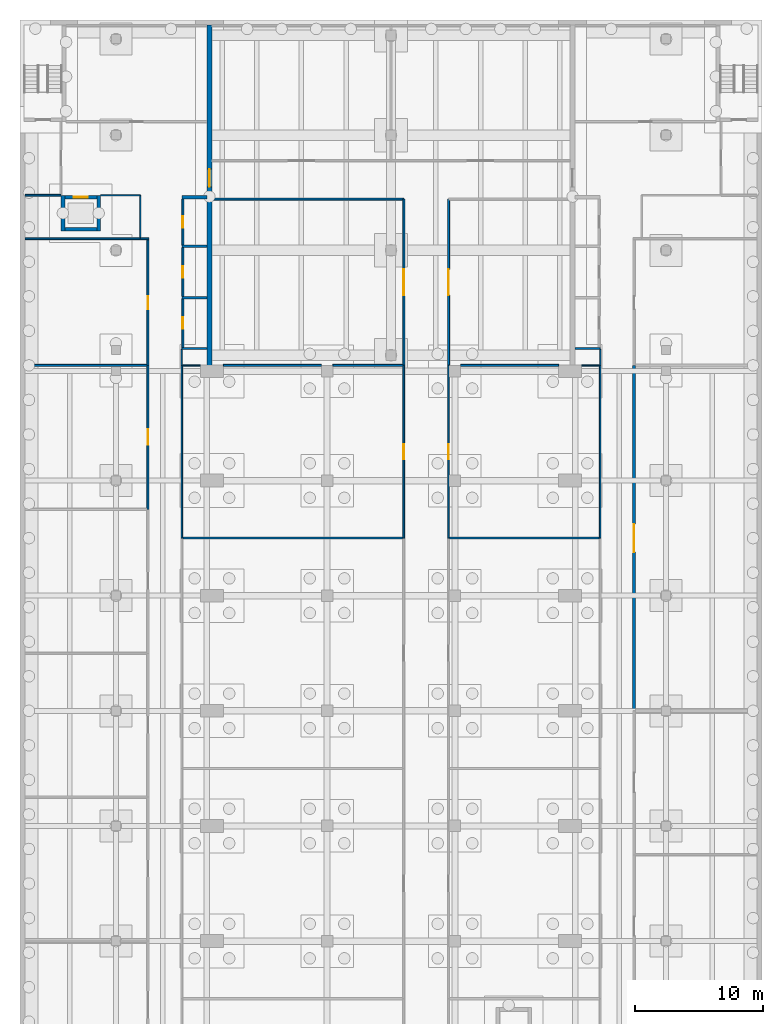
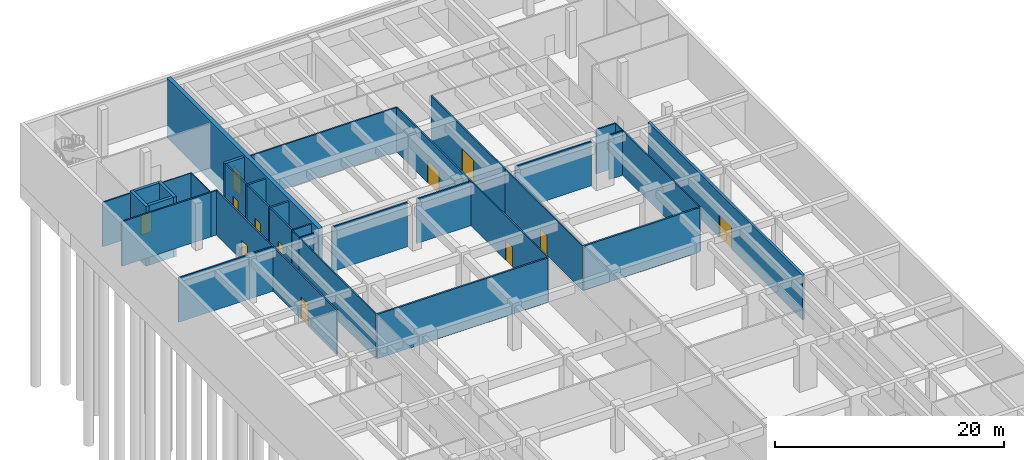
# One storey, part 14 of 19: 38 walls, 12 doors, 12 openings.
"""IFC4 building model written with IfcOpenShell, lengths in metres."""

from ifc_helpers import new_model, si_unit, direction, frame, frame_2d, origin, place, context, subcontext, project, spatial, rectangle, extrude, material, layer, layer_set, type_object, element, fill, save


model = new_model("IFC4")

# Units and contexts
model_context = context("Model", 3, precision=1e-05, world=origin(), true_north=direction((0.0, 1.0)))
body_context = subcontext(model_context, "Body", "Model", "MODEL_VIEW")
ifc_project = project(units=[si_unit("LENGTHUNIT", "METRE"), si_unit("AREAUNIT", "SQUARE_METRE"), si_unit("VOLUMEUNIT", "CUBIC_METRE"), si_unit("PLANEANGLEUNIT", "RADIAN"), si_unit("MASSUNIT", "GRAM", prefix="KILO")], contexts=[model_context])

# Site, building, storey
site_placement = place(None, origin())
site = spatial("IfcSite", under=ifc_project, at=site_placement, CompositionType="ELEMENT")
building_placement = place(site_placement, origin())
building = spatial("IfcBuilding", under=site, at=building_placement, Name="Elmora Arch Market Hall", CompositionType="ELEMENT")
storey_placement = place(building_placement, frame((0.0, 0.0, -10.0)))
storey = spatial("IfcBuildingStorey", under=building, at=storey_placement, Name="B1", CompositionType="ELEMENT", Elevation=-10.0)

# Wall
ifc_material_1 = material(Name="Blockwork", Category="masonry")
ifc_layer_1 = layer(ifc_material_1, 0.14990234375)
ifc_layer_set_1 = layer_set([ifc_layer_1], Name="Blockwork")
wall_type_1 = type_object("IfcWallType", Name="Blockwork partition 150 EI 120", PredefinedType="PARTITIONING", material=ifc_layer_set_1)
wall_1_placement = place(storey_placement, frame((12.64990234375, 100.324951171875, 0.0), z_axis=(0.0, 0.0, 1.0), x_axis=(1.0, 0.0, 0.0)))
element("IfcWall", 1, at=wall_1_placement, inside=storey, type_object=wall_type_1, Name="Riser wall B1 07", PredefinedType="PARTITIONING", context=body_context, shape_type="SweptSolid", body=[
    extrude(rectangle(XDim=1.9501953125, YDim=0.14990234375, at=frame_2d((0.97509765625, 0.0))), origin(), (0.0, 0.0, 1.0), 4.75),
])

# Wall, opening, door
wall_2_placement = place(storey_placement, frame((12.72509765625, 100.39990234375, 0.0), z_axis=(0.0, 0.0, 1.0), x_axis=(0.0, 1.0, 0.0)))
wall_2 = element("IfcWall", 2, at=wall_2_placement, inside=storey, type_object=wall_type_1, Name="Riser wall B1 08", PredefinedType="PARTITIONING", context=body_context, shape_type="SweptSolid", body=[
    extrude(rectangle(XDim=3.800048828125, YDim=0.14990234375, at=frame_2d((1.89990234375, 0.0))), origin(), (0.0, 0.0, 1.0), 4.75),
])
opening_1_placement = place(wall_2_placement, frame((1.449951171875, 0.0, 0.0)))
opening_1 = element("IfcOpeningElement", 3, at=opening_1_placement, cuts=wall_2, Name="Opening D-B1-030", PredefinedType="OPENING", context=body_context, shape_type="SweptSolid", body=[
    extrude(rectangle(XDim=0.89990234375, YDim=2.10009765625, at=frame_2d((0.449951171875, 1.050048828125))), frame((0.0, 0.0849609375, 0.0), z_axis=(0.0, -1.0, 0.0), x_axis=(1.0, 0.0, 0.0)), (0.0, 0.0, 1.0), 0.169921875),
])
ifc_material_2 = material(Name="Steel ASTM A653 galvanised", Category="steel")
door_type_1 = type_object("IfcDoorType", Name="Door 900 x 2100 FD90", OperationType="SINGLE_SWING_LEFT", PredefinedType="DOOR", material=ifc_material_2)
door_1_placement = place(opening_1_placement, frame((0.89990234375, 0.0, 0.0), z_axis=(0.0, 0.0, 1.0), x_axis=(-1.0, 0.0, 0.0)))
door_1 = element("IfcDoor", 4, at=door_1_placement, inside=storey, type_object=door_type_1, Name="Riser access door D-B1-030", OperationType="SINGLE_SWING_RIGHT", OverallHeight=2.10009765625, OverallWidth=0.89990234375, PredefinedType="DOOR", context=body_context, shape_type="SweptSolid", body=[
    extrude(rectangle(XDim=0.89990234375, YDim=2.10009765625, at=frame_2d((0.449951171875, 1.050048828125))), frame((0.0, 0.02490234375, 0.0), z_axis=(0.0, -1.0, 0.0), x_axis=(1.0, 0.0, 0.0)), (0.0, 0.0, 1.0), 0.050048828125),
])
fill(opening_1, door_1)

wall_3_placement = place(storey_placement, frame((12.72509765625, 104.39990234375, 0.0), z_axis=(0.0, 0.0, 1.0), x_axis=(0.0, 1.0, 0.0)))
wall_3 = element("IfcWall", 5, at=wall_3_placement, inside=storey, type_object=wall_type_1, Name="Riser wall B1 10", PredefinedType="PARTITIONING", context=body_context, shape_type="SweptSolid", body=[
    extrude(rectangle(XDim=3.800048828125, YDim=0.14990234375, at=frame_2d((1.89990234375, 0.0))), origin(), (0.0, 0.0, 1.0), 4.75),
])
opening_2_placement = place(wall_3_placement, frame((1.449951171875, 0.0, 0.0)))
opening_2 = element("IfcOpeningElement", 6, at=opening_2_placement, cuts=wall_3, Name="Opening D-B1-036", PredefinedType="OPENING", context=body_context, shape_type="SweptSolid", body=[
    extrude(rectangle(XDim=0.89990234375, YDim=2.10009765625, at=frame_2d((0.449951171875, 1.050048828125))), frame((0.0, 0.0849609375, 0.0), z_axis=(0.0, -1.0, 0.0), x_axis=(1.0, 0.0, 0.0)), (0.0, 0.0, 1.0), 0.169921875),
])
door_2_placement = place(opening_2_placement, frame((0.89990234375, 0.0, 0.0), z_axis=(0.0, 0.0, 1.0), x_axis=(-1.0, 0.0, 0.0)))
door_2 = element("IfcDoor", 7, at=door_2_placement, inside=storey, type_object=door_type_1, Name="Riser access door D-B1-036", OperationType="SINGLE_SWING_RIGHT", OverallHeight=2.10009765625, OverallWidth=0.89990234375, PredefinedType="DOOR", context=body_context, shape_type="SweptSolid", body=[
    extrude(rectangle(XDim=0.89990234375, YDim=2.10009765625, at=frame_2d((0.449951171875, 1.050048828125))), frame((0.0, 0.02490234375, 0.0), z_axis=(0.0, -1.0, 0.0), x_axis=(1.0, 0.0, 0.0)), (0.0, 0.0, 1.0), 0.050048828125),
])
fill(opening_2, door_2)

wall_4_placement = place(storey_placement, frame((12.72509765625, 108.39990234375, 0.0), z_axis=(0.0, 0.0, 1.0), x_axis=(0.0, 1.0, 0.0)))
wall_4 = element("IfcWall", 8, at=wall_4_placement, inside=storey, type_object=wall_type_1, Name="Riser wall B1 12", PredefinedType="PARTITIONING", context=body_context, shape_type="SweptSolid", body=[
    extrude(rectangle(XDim=3.60009765625, YDim=0.14990234375, at=frame_2d((1.800048828125, 0.0))), origin(), (0.0, 0.0, 1.0), 4.75),
])
opening_3_placement = place(wall_4_placement, frame((1.35009765625, 0.0, 0.0)))
opening_3 = element("IfcOpeningElement", 9, at=opening_3_placement, cuts=wall_4, Name="Opening D-B1-038", PredefinedType="OPENING", context=body_context, shape_type="SweptSolid", body=[
    extrude(rectangle(XDim=0.89990234375, YDim=2.10009765625, at=frame_2d((0.449951171875, 1.050048828125))), frame((0.0, 0.0849609375, 0.0), z_axis=(0.0, -1.0, 0.0), x_axis=(1.0, 0.0, 0.0)), (0.0, 0.0, 1.0), 0.169921875),
])
door_3_placement = place(opening_3_placement, frame((0.89990234375, 0.0, 0.0), z_axis=(0.0, 0.0, 1.0), x_axis=(-1.0, 0.0, 0.0)))
door_3 = element("IfcDoor", 10, at=door_3_placement, inside=storey, type_object=door_type_1, Name="Riser access door D-B1-038", OperationType="SINGLE_SWING_RIGHT", OverallHeight=2.10009765625, OverallWidth=0.89990234375, PredefinedType="DOOR", context=body_context, shape_type="SweptSolid", body=[
    extrude(rectangle(XDim=0.89990234375, YDim=2.10009765625, at=frame_2d((0.449951171875, 1.050048828125))), frame((0.0, 0.02490234375, 0.0), z_axis=(0.0, -1.0, 0.0), x_axis=(1.0, 0.0, 0.0)), (0.0, 0.0, 1.0), 0.050048828125),
])
fill(opening_3, door_3)

# Walls
wall_5_placement = place(storey_placement, frame((43.39990234375, 100.324951171875, 0.0), z_axis=(0.0, 0.0, 1.0), x_axis=(1.0, 0.0, 0.0)))
element("IfcWall", 11, at=wall_5_placement, inside=storey, type_object=wall_type_1, Name="Riser wall B1 14", PredefinedType="PARTITIONING", context=body_context, shape_type="SweptSolid", body=[
    extrude(rectangle(XDim=1.9501953125, YDim=0.14990234375, at=frame_2d((0.97509765625, 0.0))), origin(), (0.0, 0.0, 1.0), 4.75),
])
wall_6_placement = place(storey_placement, frame((0.39990234375, 99.0, 0.0), z_axis=(0.0, 0.0, 1.0), x_axis=(1.0, 0.0, 0.0)))
element("IfcWall", 12, at=wall_6_placement, inside=storey, type_object=wall_type_1, Name="Partition PT-B1-038", PredefinedType="PARTITIONING", context=body_context, shape_type="SweptSolid", body=[
    extrude(rectangle(XDim=9.525146484375, YDim=0.14990234375, at=frame_2d((4.7626953125, 0.0))), origin(), (0.0, 0.0, 1.0), 4.75),
])
wall_7_placement = place(storey_placement, frame((15.89990234375, 99.0, 0.0), z_axis=(0.0, 0.0, 1.0), x_axis=(1.0, 0.0, 0.0)))
element("IfcWall", 13, at=wall_7_placement, inside=storey, type_object=wall_type_1, Name="Partition PT-B1-040-42", PredefinedType="PARTITIONING", context=body_context, shape_type="SweptSolid", body=[
    extrude(rectangle(XDim=7.650146484375, YDim=0.14990234375, at=frame_2d((3.8251953125, 0.0))), origin(), (0.0, 0.0, 1.0), 4.75),
])
wall_8_placement = place(storey_placement, frame((24.449951171875, 99.0, 0.0), z_axis=(0.0, 0.0, 1.0), x_axis=(1.0, 0.0, 0.0)))
element("IfcWall", 14, at=wall_8_placement, inside=storey, type_object=wall_type_1, Name="Partition PT-B1-040-43", PredefinedType="PARTITIONING", context=body_context, shape_type="SweptSolid", body=[
    extrude(rectangle(XDim=5.47509765625, YDim=0.14990234375, at=frame_2d((2.737548828125, 0.0))), origin(), (0.0, 0.0, 1.0), 4.75),
])
wall_9_placement = place(storey_placement, frame((34.449951171875, 99.0, 0.0), z_axis=(0.0, 0.0, 1.0), x_axis=(1.0, 0.0, 0.0)))
element("IfcWall", 15, at=wall_9_placement, inside=storey, type_object=wall_type_1, Name="Partition PT-B1-041", PredefinedType="PARTITIONING", context=body_context, shape_type="SweptSolid", body=[
    extrude(rectangle(XDim=7.650146484375, YDim=0.14990234375, at=frame_2d((3.8251953125, 0.0))), origin(), (0.0, 0.0, 1.0), 4.75),
])
wall_10_placement = place(storey_placement, frame((0.39990234375, 108.89990234375, 0.0), z_axis=(0.0, 0.0, 1.0), x_axis=(1.0, 0.0, 0.0)))
element("IfcWall", 16, at=wall_10_placement, inside=storey, type_object=wall_type_1, Name="Partition PT-B1-044", PredefinedType="PARTITIONING", context=body_context, shape_type="SweptSolid", body=[
    extrude(rectangle(XDim=9.0, YDim=0.14990234375, at=frame_2d((4.5, 0.0))), origin(), (0.0, 0.0, 1.0), 4.75),
])
wall_11_placement = place(storey_placement, frame((9.39990234375, 108.89990234375, 0.0), z_axis=(0.0, 0.0, 1.0), x_axis=(1.0, 0.0, 0.0)))
element("IfcWall", 17, at=wall_11_placement, inside=storey, type_object=wall_type_1, Name="Partition PT-B1-045", PredefinedType="PARTITIONING", context=body_context, shape_type="SweptSolid", body=[
    extrude(rectangle(XDim=0.675048828125, YDim=0.14990234375, at=frame_2d((0.33740234375, 0.0))), origin(), (0.0, 0.0, 1.0), 4.75),
])
wall_12_placement = place(storey_placement, frame((15.0, 112.0, 0.0), z_axis=(0.0, 0.0, 1.0), x_axis=(1.0, 0.0, 0.0)))
element("IfcWall", 18, at=wall_12_placement, inside=storey, type_object=wall_type_1, Name="Partition PT-B1-048", PredefinedType="PARTITIONING", context=body_context, shape_type="SweptSolid", body=[
    extrude(rectangle(XDim=14.989990234375, YDim=0.14990234375, at=frame_2d((7.4951171875, 0.0))), origin(), (0.0, 0.0, 1.0), 4.75),
])

# Wall, opening, door
wall_13_placement = place(storey_placement, frame((10.0, 99.0, 0.0), z_axis=(0.0, 0.0, 1.0), x_axis=(0.0, 1.0, 0.0)))
wall_13 = element("IfcWall", 19, at=wall_13_placement, inside=storey, type_object=wall_type_1, Name="Partition PT-B1-075", PredefinedType="PARTITIONING", context=body_context, shape_type="SweptSolid", body=[
    extrude(rectangle(XDim=9.824951171875, YDim=0.14990234375, at=frame_2d((4.91259765625, 0.0))), origin(), (0.0, 0.0, 1.0), 4.75),
])
opening_4_placement = place(wall_13_placement, frame((4.39990234375, 0.0, 0.0)))
opening_4 = element("IfcOpeningElement", 20, at=opening_4_placement, cuts=wall_13, Name="Opening D-B1-032", PredefinedType="OPENING", context=body_context, shape_type="SweptSolid", body=[
    extrude(rectangle(XDim=1.0, YDim=2.10009765625, at=frame_2d((0.5, 1.050048828125))), frame((0.0, 0.0849609375, 0.0), z_axis=(0.0, -1.0, 0.0), x_axis=(1.0, 0.0, 0.0)), (0.0, 0.0, 1.0), 0.169921875),
])
ifc_material_3 = material(Name="Steel ASTM A653 galvanised", Category="steel")
door_type_2 = type_object("IfcDoorType", Name="Door 1000 x 2100 FD90", OperationType="SINGLE_SWING_LEFT", PredefinedType="DOOR", material=ifc_material_3)
door_4_placement = place(opening_4_placement, origin())
door_4 = element("IfcDoor", 21, at=door_4_placement, inside=storey, type_object=door_type_2, Name="D-B1-032", OperationType="SINGLE_SWING_LEFT", OverallHeight=2.10009765625, OverallWidth=1.0, PredefinedType="DOOR", context=body_context, shape_type="SweptSolid", body=[
    extrude(rectangle(XDim=1.0, YDim=2.10009765625, at=frame_2d((0.5, 1.050048828125))), frame((0.0, 0.02490234375, 0.0), z_axis=(0.0, -1.0, 0.0), x_axis=(1.0, 0.0, 0.0)), (0.0, 0.0, 1.0), 0.050048828125),
])
fill(opening_4, door_4)

wall_14_placement = place(storey_placement, frame((30.0, 99.0, 0.0), z_axis=(0.0, 0.0, 1.0), x_axis=(0.0, 1.0, 0.0)))
wall_14 = element("IfcWall", 22, at=wall_14_placement, inside=storey, type_object=wall_type_1, Name="Partition PT-B1-088", PredefinedType="PARTITIONING", context=body_context, shape_type="SweptSolid", body=[
    extrude(rectangle(XDim=12.989990234375, YDim=0.14990234375, at=frame_2d((6.4951171875, 0.0))), origin(), (0.0, 0.0, 1.0), 4.75),
])
opening_5_placement = place(wall_14_placement, frame((5.5, 0.0, 0.0)))
opening_5 = element("IfcOpeningElement", 23, at=opening_5_placement, cuts=wall_14, Name="Opening D-B1-034", PredefinedType="OPENING", context=body_context, shape_type="SweptSolid", body=[
    extrude(rectangle(XDim=2.0, YDim=2.39990234375, at=frame_2d((1.0, 1.199951171875))), frame((0.0, 0.0849609375, 0.0), z_axis=(0.0, -1.0, 0.0), x_axis=(1.0, 0.0, 0.0)), (0.0, 0.0, 1.0), 0.169921875),
])
ifc_material_4 = material(Name="Steel ASTM A653 galvanised", Category="steel")
door_type_3 = type_object("IfcDoorType", Name="Double door 2000 x 2400 FD90", OperationType="DOUBLE_DOOR_SINGLE_SWING", PredefinedType="DOOR", material=ifc_material_4)
door_5_placement = place(opening_5_placement, origin())
door_5 = element("IfcDoor", 24, at=door_5_placement, inside=storey, type_object=door_type_3, Name="D-B1-034", OperationType="DOUBLE_DOOR_SINGLE_SWING", OverallHeight=2.39990234375, OverallWidth=2.0, PredefinedType="DOOR", context=body_context, shape_type="SweptSolid", body=[
    extrude(rectangle(XDim=2.0, YDim=2.39990234375, at=frame_2d((1.0, 1.199951171875))), frame((0.0, 0.02490234375, 0.0), z_axis=(0.0, -1.0, 0.0), x_axis=(1.0, 0.0, 0.0)), (0.0, 0.0, 1.0), 0.050048828125),
])
fill(opening_5, door_5)

wall_15_placement = place(storey_placement, frame((33.5, 99.0, 0.0), z_axis=(0.0, 0.0, 1.0), x_axis=(0.0, 1.0, 0.0)))
wall_15 = element("IfcWall", 25, at=wall_15_placement, inside=storey, type_object=wall_type_1, Name="Partition PT-B1-093", PredefinedType="PARTITIONING", context=body_context, shape_type="SweptSolid", body=[
    extrude(rectangle(XDim=12.989990234375, YDim=0.14990234375, at=frame_2d((6.4951171875, 0.0))), origin(), (0.0, 0.0, 1.0), 4.75),
])
opening_6_placement = place(wall_15_placement, frame((5.5, 0.0, 0.0)))
opening_6 = element("IfcOpeningElement", 26, at=opening_6_placement, cuts=wall_15, Name="Opening D-B1-035", PredefinedType="OPENING", context=body_context, shape_type="SweptSolid", body=[
    extrude(rectangle(XDim=2.0, YDim=2.39990234375, at=frame_2d((1.0, 1.199951171875))), frame((0.0, 0.0849609375, 0.0), z_axis=(0.0, -1.0, 0.0), x_axis=(1.0, 0.0, 0.0)), (0.0, 0.0, 1.0), 0.169921875),
])
door_6_placement = place(opening_6_placement, frame((2.0, 0.0, 0.0), z_axis=(0.0, 0.0, 1.0), x_axis=(-1.0, 0.0, 0.0)))
door_6 = element("IfcDoor", 27, at=door_6_placement, inside=storey, type_object=door_type_3, Name="D-B1-035", OperationType="DOUBLE_DOOR_SINGLE_SWING", OverallHeight=2.39990234375, OverallWidth=2.0, PredefinedType="DOOR", context=body_context, shape_type="SweptSolid", body=[
    extrude(rectangle(XDim=2.0, YDim=2.39990234375, at=frame_2d((1.0, 1.199951171875))), frame((0.0, 0.02490234375, 0.0), z_axis=(0.0, -1.0, 0.0), x_axis=(1.0, 0.0, 0.0)), (0.0, 0.0, 1.0), 0.050048828125),
])
fill(opening_6, door_6)

# Walls
ifc_material_5 = material(Name="Blockwork", Category="masonry")
ifc_layer_2 = layer(ifc_material_5, 0.199951171875)
ifc_layer_set_2 = layer_set([ifc_layer_2], Name="Blockwork")
wall_type_2 = type_object("IfcWallType", Name="Blockwork partition 200 EI 120", PredefinedType="PARTITIONING", material=ifc_layer_set_2)
for number, where, z_axis, x_axis, name in (
    (28, (12.64990234375, 104.300048828125, 0.0), (0.0, 0.0, 1.0), (1.0, 0.0, 0.0), "Riser wall B1 09"),
    (29, (12.64990234375, 108.300048828125, 0.0), (0.0, 0.0, 1.0), (1.0, 0.0, 0.0), "Riser wall B1 11"),
):
    element("IfcWall", number, at=place(storey_placement, frame(where, z_axis=z_axis, x_axis=x_axis)), inside=storey, type_object=wall_type_2, Name=name, PredefinedType="PARTITIONING", context=body_context, shape_type="SweptSolid", body=[
        extrude(rectangle(XDim=1.9501953125, YDim=0.199951171875, at=frame_2d((0.97509765625, 0.0))), origin(), (0.0, 0.0, 1.0), 4.75),
    ])

# Wall, opening, door
ifc_material_6 = material(Name="Blockwork", Category="masonry")
ifc_layer_3 = layer(ifc_material_6, 0.25)
ifc_layer_set_3 = layer_set([ifc_layer_3], Name="Blockwork")
wall_type_3 = type_object("IfcWallType", Name="Blockwork partition 250 EI 120", PredefinedType="PARTITIONING", material=ifc_layer_set_3)
wall_16_placement = place(storey_placement, frame((48.0, 72.0, 0.0), z_axis=(0.0, 0.0, 1.0), x_axis=(0.0, 1.0, 0.0)))
wall_16 = element("IfcWall", 30, at=wall_16_placement, inside=storey, type_object=wall_type_3, Name="Partition PT-B1-105", PredefinedType="PARTITIONING", context=body_context, shape_type="SweptSolid", body=[
    extrude(rectangle(XDim=27.0, YDim=0.25, at=frame_2d((13.5, 0.0))), origin(), (0.0, 0.0, 1.0), 4.75),
])
opening_7_placement = place(wall_16_placement, frame((12.39990234375, 0.0, 0.0)))
opening_7 = element("IfcOpeningElement", 31, at=opening_7_placement, cuts=wall_16, Name="Opening D-B1-026", PredefinedType="OPENING", context=body_context, shape_type="SweptSolid", body=[
    extrude(rectangle(XDim=2.199951171875, YDim=2.39990234375, at=frame_2d((1.10009765625, 1.199951171875))), frame((0.0, 0.135009765625, 0.0), z_axis=(0.0, -1.0, 0.0), x_axis=(1.0, 0.0, 0.0)), (0.0, 0.0, 1.0), 0.27001953125),
])
ifc_material_7 = material(Name="Steel ASTM A653 galvanised", Category="steel")
door_type_4 = type_object("IfcDoorType", Name="Double door 2200 x 2400 FD90", OperationType="DOUBLE_DOOR_SINGLE_SWING", PredefinedType="DOOR", material=ifc_material_7)
door_7_placement = place(opening_7_placement, frame((2.199951171875, 0.0, 0.0), z_axis=(0.0, 0.0, 1.0), x_axis=(-1.0, 0.0, 0.0)))
door_7 = element("IfcDoor", 32, at=door_7_placement, inside=storey, type_object=door_type_4, Name="D-B1-026", OperationType="DOUBLE_DOOR_SINGLE_SWING", OverallHeight=2.39990234375, OverallWidth=2.199951171875, PredefinedType="DOOR", context=body_context, shape_type="SweptSolid", body=[
    extrude(rectangle(XDim=2.199951171875, YDim=2.39990234375, at=frame_2d((1.10009765625, 1.199951171875))), frame((0.0, 0.02490234375, 0.0), z_axis=(0.0, -1.0, 0.0), x_axis=(1.0, 0.0, 0.0)), (0.0, 0.0, 1.0), 0.050048828125),
])
fill(opening_7, door_7)

# Wall
ifc_material_8 = material(Name="Blockwork", Category="masonry")
ifc_layer_4 = layer(ifc_material_8, 0.300048828125)
ifc_layer_set_4 = layer_set([ifc_layer_4], Name="Blockwork")
wall_type_4 = type_object("IfcWallType", Name="Blockwork partition 300 EI 120", PredefinedType="PARTITIONING", material=ifc_layer_set_4)
wall_17_placement = place(storey_placement, frame((12.64990234375, 112.14990234375, 0.0), z_axis=(0.0, 0.0, 1.0), x_axis=(1.0, 0.0, 0.0)))
element("IfcWall", 33, at=wall_17_placement, inside=storey, type_object=wall_type_4, Name="Riser wall B1 13", PredefinedType="PARTITIONING", context=body_context, shape_type="SweptSolid", body=[
    extrude(rectangle(XDim=1.9501953125, YDim=0.300048828125, at=frame_2d((0.97509765625, 0.0))), origin(), (0.0, 0.0, 1.0), 4.75),
])

# Wall, opening, door
ifc_material_9 = material(Name="Insulated metal panel")
ifc_layer_5 = layer(ifc_material_9, 0.14990234375)
ifc_layer_set_5 = layer_set([ifc_layer_5], Name="Insulated metal panel")
wall_type_5 = type_object("IfcWallType", Name="Cold store panel 150 EI 60", PredefinedType="PARTITIONING", material=ifc_layer_set_5)
wall_18_placement = place(storey_placement, frame((10.0, 87.75, 0.0), z_axis=(0.0, 0.0, 1.0), x_axis=(0.0, 1.0, 0.0)))
wall_18 = element("IfcWall", 34, at=wall_18_placement, inside=storey, type_object=wall_type_5, Name="Partition PT-B1-074", PredefinedType="PARTITIONING", context=body_context, shape_type="SweptSolid", body=[
    extrude(rectangle(XDim=11.25, YDim=0.14990234375, at=frame_2d((5.625, 0.0))), origin(), (0.0, 0.0, 1.0), 4.75),
])
opening_8_placement = place(wall_18_placement, frame((5.050048828125, 0.0, 0.0)))
opening_8 = element("IfcOpeningElement", 35, at=opening_8_placement, cuts=wall_18, Name="Opening D-B1-029", PredefinedType="OPENING", context=body_context, shape_type="SweptSolid", body=[
    extrude(rectangle(XDim=1.199951171875, YDim=2.39990234375, at=frame_2d((0.60009765625, 1.199951171875))), frame((0.0, 0.0849609375, 0.0), z_axis=(0.0, -1.0, 0.0), x_axis=(1.0, 0.0, 0.0)), (0.0, 0.0, 1.0), 0.169921875),
])
ifc_material_10 = material(Name="Insulated door panel")
door_type_5 = type_object("IfcDoorType", Name="Cold store door 1200 x 2400 FD45", OperationType="SLIDING_TO_LEFT", PredefinedType="DOOR", material=ifc_material_10)
door_8_placement = place(opening_8_placement, origin())
door_8 = element("IfcDoor", 36, at=door_8_placement, inside=storey, type_object=door_type_5, Name="D-B1-029", OperationType="SLIDING_TO_LEFT", OverallHeight=2.39990234375, OverallWidth=1.199951171875, PredefinedType="DOOR", context=body_context, shape_type="SweptSolid", body=[
    extrude(rectangle(XDim=1.199951171875, YDim=2.39990234375, at=frame_2d((0.60009765625, 1.199951171875))), frame((0.0, 0.02490234375, 0.0), z_axis=(0.0, -1.0, 0.0), x_axis=(1.0, 0.0, 0.0)), (0.0, 0.0, 1.0), 0.050048828125),
])
fill(opening_8, door_8)

# Walls
ifc_material_11 = material(Name="Concrete C40/50", Category="concrete")
ifc_layer_6 = layer(ifc_material_11, 0.300048828125)
ifc_layer_set_6 = layer_set([ifc_layer_6], Name="Concrete C40/50")
wall_type_6 = type_object("IfcWallType", Name="Lift shaft wall 300", PredefinedType="SHEAR", material=ifc_layer_set_6)
for number, where, z_axis, x_axis, name in (
    (37, (3.35009765625, 109.5, -1.39990234375), (0.0, 0.0, 1.0), (0.0, 1.0, 0.0), "Lift shaft wall PL1 W B1"),
    (38, (6.14990234375, 109.5, -1.39990234375), (0.0, 0.0, 1.0), (0.0, 1.0, 0.0), "Lift shaft wall PL1 E B1"),
):
    element("IfcWall", number, at=place(storey_placement, frame(where, z_axis=z_axis, x_axis=x_axis)), inside=storey, type_object=wall_type_6, Name=name, PredefinedType="SHEAR", context=body_context, shape_type="SweptSolid", body=[
        extrude(rectangle(XDim=2.800048828125, YDim=0.300048828125, at=frame_2d((1.39990234375, 0.0))), origin(), (0.0, 0.0, 1.0), 6.39990234375),
    ])
wall_19_placement = place(storey_placement, frame((3.5, 109.64990234375, -1.39990234375), z_axis=(0.0, 0.0, 1.0), x_axis=(1.0, 0.0, 0.0)))
element("IfcWall", 39, at=wall_19_placement, inside=storey, type_object=wall_type_6, Name="Lift shaft wall PL1 S B1", PredefinedType="SHEAR", context=body_context, shape_type="SweptSolid", body=[
    extrude(rectangle(XDim=2.5, YDim=0.300048828125, at=frame_2d((1.25, 0.0))), origin(), (0.0, 0.0, 1.0), 6.39990234375),
])

# Wall, opening, door
wall_20_placement = place(storey_placement, frame((3.5, 112.14990234375, -1.39990234375), z_axis=(0.0, 0.0, 1.0), x_axis=(1.0, 0.0, 0.0)))
wall_20 = element("IfcWall", 40, at=wall_20_placement, inside=storey, type_object=wall_type_6, Name="Lift shaft wall PL1 N B1", PredefinedType="SHEAR", context=body_context, shape_type="SweptSolid", body=[
    extrude(rectangle(XDim=2.5, YDim=0.300048828125, at=frame_2d((1.25, 0.0))), origin(), (0.0, 0.0, 1.0), 6.39990234375),
])
opening_9_placement = place(wall_20_placement, frame((0.699951171875, 0.0, 1.39990234375)))
opening_9 = element("IfcOpeningElement", 41, at=opening_9_placement, cuts=wall_20, Name="Opening LD-PL1-B1", PredefinedType="OPENING", context=body_context, shape_type="SweptSolid", body=[
    extrude(rectangle(XDim=1.10009765625, YDim=2.10009765625, at=frame_2d((0.550048828125, 1.050048828125))), frame((0.0, 0.159912109375, 0.0), z_axis=(0.0, -1.0, 0.0), x_axis=(1.0, 0.0, 0.0)), (0.0, 0.0, 1.0), 0.320068359375),
])
ifc_material_12 = material(Name="Stainless steel ASTM A240 Type 304", Category="steel")
door_type_6 = type_object("IfcDoorType", Name="Lift landing door 1100 x 2100 FD90", OperationType="SLIDING_TO_LEFT", PredefinedType="DOOR", material=ifc_material_12)
door_9_placement = place(opening_9_placement, origin())
door_9 = element("IfcDoor", 42, at=door_9_placement, inside=storey, type_object=door_type_6, Name="Landing door PL1 B1", OperationType="SLIDING_TO_LEFT", OverallHeight=2.10009765625, OverallWidth=1.10009765625, PredefinedType="DOOR", context=body_context, shape_type="SweptSolid", body=[
    extrude(rectangle(XDim=1.10009765625, YDim=2.10009765625, at=frame_2d((0.550048828125, 1.050048828125))), frame((0.0, 0.02490234375, 0.0), z_axis=(0.0, -1.0, 0.0), x_axis=(1.0, 0.0, 0.0)), (0.0, 0.0, 1.0), 0.050048828125),
])
fill(opening_9, door_9)

# Walls
ifc_material_13 = material(Name="Gypsum board on metal studs")
ifc_layer_7 = layer(ifc_material_13, 0.10009765625)
ifc_layer_set_7 = layer_set([ifc_layer_7], Name="Gypsum board on metal studs")
wall_type_7 = type_object("IfcWallType", Name="Partition 100", PredefinedType="PARTITIONING", material=ifc_layer_set_7)
for number, where, z_axis, x_axis, name in (
    (43, (12.71240234375, 99.0, 0.0), (0.0, 0.0, 1.0), (1.0, 0.0, 0.0), "Partition PT-B1-039"),
    (44, (43.89990234375, 99.0, 0.0), (0.0, 0.0, 1.0), (1.0, 0.0, 0.0), "Partition PT-B1-042"),
):
    element("IfcWall", number, at=place(storey_placement, frame(where, z_axis=z_axis, x_axis=x_axis)), inside=storey, type_object=wall_type_7, Name=name, PredefinedType="PARTITIONING", context=body_context, shape_type="SweptSolid", body=[
        extrude(rectangle(XDim=1.3876953125, YDim=0.10009765625, at=frame_2d((0.69384765625, 0.0))), origin(), (0.0, 0.0, 1.0), 4.75),
    ])
wall_21_placement = place(storey_placement, frame((6.300048828125, 112.300048828125, 0.0), z_axis=(0.0, 0.0, 1.0), x_axis=(1.0, 0.0, 0.0)))
element("IfcWall", 45, at=wall_21_placement, inside=storey, type_object=wall_type_7, Name="Partition PT-B1-051", PredefinedType="PARTITIONING", context=body_context, shape_type="SweptSolid", body=[
    extrude(rectangle(XDim=3.08984375, YDim=0.10009765625, at=frame_2d((1.544921875, 0.0))), origin(), (0.0, 0.0, 1.0), 4.75),
])
wall_22_placement = place(storey_placement, frame((9.39990234375, 108.97509765625, 0.0), z_axis=(0.0, 0.0, 1.0), x_axis=(0.0, 1.0, 0.0)))
element("IfcWall", 46, at=wall_22_placement, inside=storey, type_object=wall_type_7, Name="Partition PT-B1-067", PredefinedType="PARTITIONING", context=body_context, shape_type="SweptSolid", body=[
    extrude(rectangle(XDim=3.31494140625, YDim=0.10009765625, at=frame_2d((1.657470703125, 0.0))), origin(), (0.0, 0.0, 1.0), 4.75),
])
for number, where, z_axis, x_axis, name in (
    (47, (12.64990234375, 99.0, 0.0), (0.0, 0.0, 1.0), (0.0, 1.0, 0.0), "Partition PT-B1-081"),
    (48, (45.35009765625, 99.0, 0.0), (0.0, 0.0, 1.0), (0.0, 1.0, 0.0), "Partition PT-B1-100"),
):
    element("IfcWall", number, at=place(storey_placement, frame(where, z_axis=z_axis, x_axis=x_axis)), inside=storey, type_object=wall_type_7, Name=name, PredefinedType="PARTITIONING", context=body_context, shape_type="SweptSolid", body=[
        extrude(rectangle(XDim=1.25, YDim=0.10009765625, at=frame_2d((0.625, 0.0))), origin(), (0.0, 0.0, 1.0), 4.75),
    ])
ifc_material_14 = material(Name="Gypsum board on metal studs")
ifc_layer_8 = layer(ifc_material_14, 0.125)
ifc_layer_set_8 = layer_set([ifc_layer_8], Name="Gypsum board on metal studs")
wall_type_8 = type_object("IfcWallType", Name="Partition 125 EI 60", PredefinedType="PARTITIONING", material=ifc_layer_set_8)
wall_23_placement = place(storey_placement, frame((0.39990234375, 112.300048828125, 0.0), z_axis=(0.0, 0.0, 1.0), x_axis=(1.0, 0.0, 0.0)))
element("IfcWall", 49, at=wall_23_placement, inside=storey, type_object=wall_type_8, Name="Partition PT-B1-050", PredefinedType="PARTITIONING", context=body_context, shape_type="SweptSolid", body=[
    extrude(rectangle(XDim=2.800048828125, YDim=0.125, at=frame_2d((1.39990234375, 0.0))), origin(), (0.0, 0.0, 1.0), 4.75),
])
wall_24_placement = place(storey_placement, frame((12.64990234375, 85.5, 0.0), z_axis=(0.0, 0.0, 1.0), x_axis=(0.0, 1.0, 0.0)))
element("IfcWall", 50, at=wall_24_placement, inside=storey, type_object=wall_type_8, Name="Partition PT-B1-080", PredefinedType="PARTITIONING", context=body_context, shape_type="SweptSolid", body=[
    extrude(rectangle(XDim=13.5, YDim=0.125, at=frame_2d((6.75, 0.0))), origin(), (0.0, 0.0, 1.0), 4.75),
])

# Wall, opening, door
wall_25_placement = place(storey_placement, frame((30.0, 85.5, 0.0), z_axis=(0.0, 0.0, 1.0), x_axis=(0.0, 1.0, 0.0)))
wall_25 = element("IfcWall", 51, at=wall_25_placement, inside=storey, type_object=wall_type_8, Name="Partition PT-B1-087", PredefinedType="PARTITIONING", context=body_context, shape_type="SweptSolid", body=[
    extrude(rectangle(XDim=13.5, YDim=0.125, at=frame_2d((6.75, 0.0))), origin(), (0.0, 0.0, 1.0), 4.75),
])
opening_10_placement = place(wall_25_placement, frame((6.14990234375, 0.0, 0.0)))
opening_10 = element("IfcOpeningElement", 52, at=opening_10_placement, cuts=wall_25, Name="Opening D-B1-027", PredefinedType="OPENING", context=body_context, shape_type="SweptSolid", body=[
    extrude(rectangle(XDim=1.199951171875, YDim=2.10009765625, at=frame_2d((0.60009765625, 1.050048828125))), frame((0.0, 0.072509765625, 0.0), z_axis=(0.0, -1.0, 0.0), x_axis=(1.0, 0.0, 0.0)), (0.0, 0.0, 1.0), 0.14501953125),
])
ifc_material_15 = material(Name="Steel ASTM A653 galvanised", Category="steel")
door_type_7 = type_object("IfcDoorType", Name="Door 1200 x 2100 FD45", OperationType="SINGLE_SWING_LEFT", PredefinedType="DOOR", material=ifc_material_15)
door_10_placement = place(opening_10_placement, origin())
door_10 = element("IfcDoor", 53, at=door_10_placement, inside=storey, type_object=door_type_7, Name="D-B1-027", OperationType="SINGLE_SWING_LEFT", OverallHeight=2.10009765625, OverallWidth=1.199951171875, PredefinedType="DOOR", context=body_context, shape_type="SweptSolid", body=[
    extrude(rectangle(XDim=1.199951171875, YDim=2.10009765625, at=frame_2d((0.60009765625, 1.050048828125))), frame((0.0, 0.02490234375, 0.0), z_axis=(0.0, -1.0, 0.0), x_axis=(1.0, 0.0, 0.0)), (0.0, 0.0, 1.0), 0.050048828125),
])
fill(opening_10, door_10)

wall_26_placement = place(storey_placement, frame((33.5, 85.5, 0.0), z_axis=(0.0, 0.0, 1.0), x_axis=(0.0, 1.0, 0.0)))
wall_26 = element("IfcWall", 54, at=wall_26_placement, inside=storey, type_object=wall_type_8, Name="Partition PT-B1-092", PredefinedType="PARTITIONING", context=body_context, shape_type="SweptSolid", body=[
    extrude(rectangle(XDim=13.5, YDim=0.125, at=frame_2d((6.75, 0.0))), origin(), (0.0, 0.0, 1.0), 4.75),
])
opening_11_placement = place(wall_26_placement, frame((6.14990234375, 0.0, 0.0)))
opening_11 = element("IfcOpeningElement", 55, at=opening_11_placement, cuts=wall_26, Name="Opening D-B1-028", PredefinedType="OPENING", context=body_context, shape_type="SweptSolid", body=[
    extrude(rectangle(XDim=1.199951171875, YDim=2.10009765625, at=frame_2d((0.60009765625, 1.050048828125))), frame((0.0, 0.072509765625, 0.0), z_axis=(0.0, -1.0, 0.0), x_axis=(1.0, 0.0, 0.0)), (0.0, 0.0, 1.0), 0.14501953125),
])
door_11_placement = place(opening_11_placement, frame((1.199951171875, 0.0, 0.0), z_axis=(0.0, 0.0, 1.0), x_axis=(-1.0, 0.0, 0.0)))
door_11 = element("IfcDoor", 56, at=door_11_placement, inside=storey, type_object=door_type_7, Name="D-B1-028", OperationType="SINGLE_SWING_RIGHT", OverallHeight=2.10009765625, OverallWidth=1.199951171875, PredefinedType="DOOR", context=body_context, shape_type="SweptSolid", body=[
    extrude(rectangle(XDim=1.199951171875, YDim=2.10009765625, at=frame_2d((0.60009765625, 1.050048828125))), frame((0.0, 0.02490234375, 0.0), z_axis=(0.0, -1.0, 0.0), x_axis=(1.0, 0.0, 0.0)), (0.0, 0.0, 1.0), 0.050048828125),
])
fill(opening_11, door_11)

# Walls
wall_27_placement = place(storey_placement, frame((45.35009765625, 85.5, 0.0), z_axis=(0.0, 0.0, 1.0), x_axis=(0.0, 1.0, 0.0)))
element("IfcWall", 57, at=wall_27_placement, inside=storey, type_object=wall_type_8, Name="Partition PT-B1-099", PredefinedType="PARTITIONING", context=body_context, shape_type="SweptSolid", body=[
    extrude(rectangle(XDim=13.5, YDim=0.125, at=frame_2d((6.75, 0.0))), origin(), (0.0, 0.0, 1.0), 4.75),
])
ifc_material_16 = material(Name="Gypsum board on metal studs")
ifc_layer_9 = layer(ifc_material_16, 0.175048828125)
ifc_layer_set_9 = layer_set([ifc_layer_9], Name="Gypsum board on metal studs")
wall_type_9 = type_object("IfcWallType", Name="Partition 175 EI 60", PredefinedType="PARTITIONING", material=ifc_layer_set_9)
wall_28_placement = place(storey_placement, frame((12.71240234375, 85.5, 0.0), z_axis=(0.0, 0.0, 1.0), x_axis=(1.0, 0.0, 0.0)))
element("IfcWall", 58, at=wall_28_placement, inside=storey, type_object=wall_type_9, Name="Partition PT-B1-035", PredefinedType="PARTITIONING", context=body_context, shape_type="SweptSolid", body=[
    extrude(rectangle(XDim=17.22509765625, YDim=0.175048828125, at=frame_2d((8.612548828125, 0.0))), origin(), (0.0, 0.0, 1.0), 4.75),
])
wall_29_placement = place(storey_placement, frame((33.5625, 85.5, 0.0), z_axis=(0.0, 0.0, 1.0), x_axis=(1.0, 0.0, 0.0)))
element("IfcWall", 59, at=wall_29_placement, inside=storey, type_object=wall_type_9, Name="Partition PT-B1-036", PredefinedType="PARTITIONING", context=body_context, shape_type="SweptSolid", body=[
    extrude(rectangle(XDim=11.72509765625, YDim=0.175048828125, at=frame_2d((5.862548828125, 0.0))), origin(), (0.0, 0.0, 1.0), 4.75),
])

# Wall, opening, door
ifc_material_17 = material(Name="Concrete C40/50", Category="concrete")
ifc_layer_10 = layer(ifc_material_17, 0.39990234375)
ifc_layer_set_10 = layer_set([ifc_layer_10], Name="Concrete C40/50")
wall_type_10 = type_object("IfcWallType", Name="Spine wall 400", PredefinedType="SHEAR", material=ifc_layer_set_10)
wall_30_placement = place(storey_placement, frame((14.800048828125, 99.0, -1.39990234375), z_axis=(0.0, 0.0, 1.0), x_axis=(0.0, 1.0, 0.0)))
wall_30 = element("IfcWall", 60, at=wall_30_placement, inside=storey, type_object=wall_type_10, Name="Spine wall W B1", PredefinedType="SHEAR", context=body_context, shape_type="SweptSolid", body=[
    extrude(rectangle(XDim=26.60009765625, YDim=0.39990234375, at=frame_2d((13.300048828125, 0.0))), origin(), (0.0, 0.0, 1.0), 6.39990234375),
])
opening_12_placement = place(wall_30_placement, frame((13.949951171875, 0.0, 1.39990234375)))
opening_12 = element("IfcOpeningElement", 61, at=opening_12_placement, cuts=wall_30, Name="Opening D-B1-040", PredefinedType="OPENING", context=body_context, shape_type="SweptSolid", body=[
    extrude(rectangle(XDim=1.39990234375, YDim=2.39990234375, at=frame_2d((0.699951171875, 1.199951171875))), frame((0.0, 0.2099609375, 0.0), z_axis=(0.0, -1.0, 0.0), x_axis=(1.0, 0.0, 0.0)), (0.0, 0.0, 1.0), 0.419921875),
])
ifc_material_18 = material(Name="Timber door set", Category="wood")
door_type_8 = type_object("IfcDoorType", Name="Door 1400 x 2400", OperationType="SINGLE_SWING_LEFT", PredefinedType="DOOR", material=ifc_material_18)
door_12_placement = place(opening_12_placement, origin())
door_12 = element("IfcDoor", 62, at=door_12_placement, inside=storey, type_object=door_type_8, Name="D-B1-040", OperationType="SINGLE_SWING_LEFT", OverallHeight=2.39990234375, OverallWidth=1.39990234375, PredefinedType="DOOR", context=body_context, shape_type="SweptSolid", body=[
    extrude(rectangle(XDim=1.39990234375, YDim=2.39990234375, at=frame_2d((0.699951171875, 1.199951171875))), frame((0.0, 0.02490234375, 0.0), z_axis=(0.0, -1.0, 0.0), x_axis=(1.0, 0.0, 0.0)), (0.0, 0.0, 1.0), 0.050048828125),
])
fill(opening_12, door_12)

save(model, "model.ifc")
